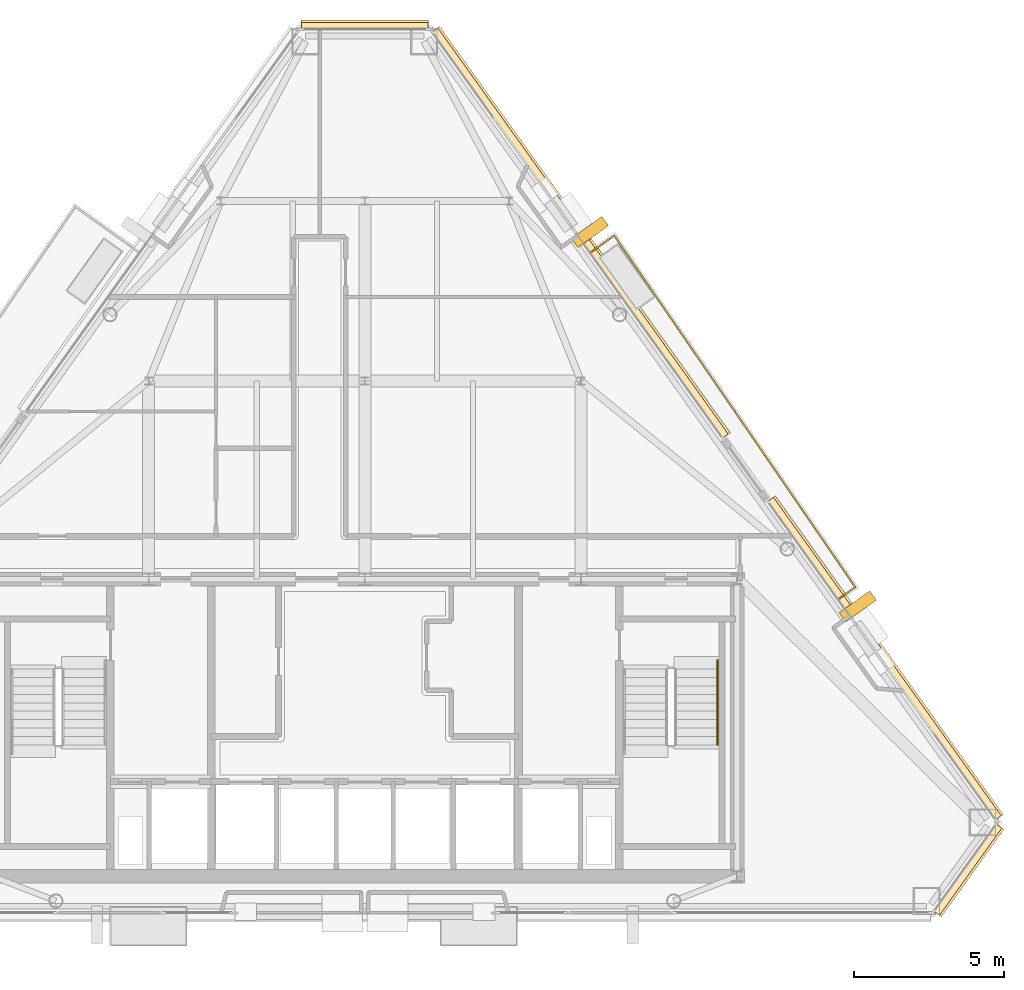
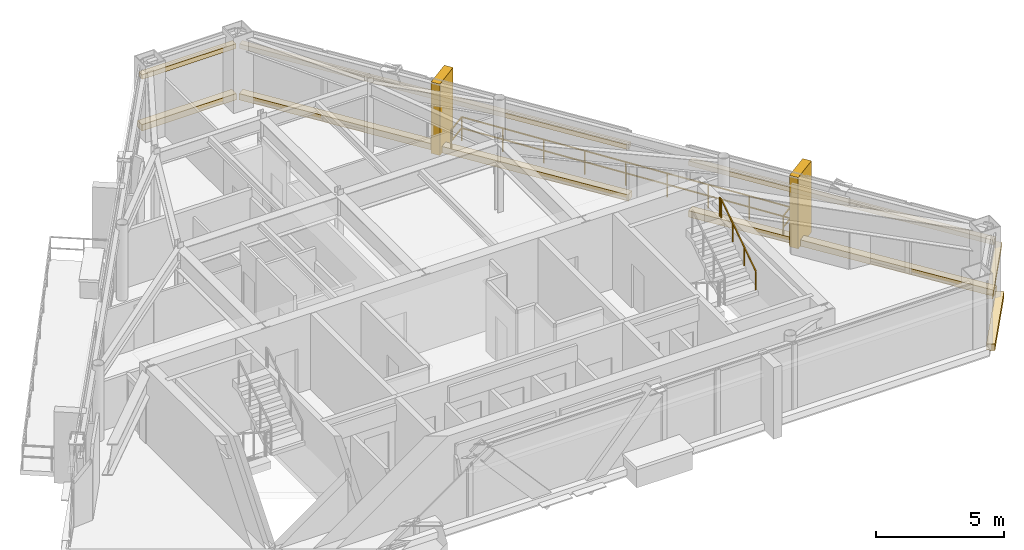
# One storey, part 12 of 12: 10 coverings, 2 railings.
"""IFC4 building model written with IfcOpenShell, lengths in metres."""

from ifc_helpers import new_model, si_unit, direction, frame, origin, origin_2d, place, context, subcontext, project, spatial, rectangle, extrude, material, layer, layer_set, type_object, element, save


model = new_model("IFC4")

# Units and contexts
model_context = context("Model", 3, precision=1e-05, world=origin(), true_north=direction((0.0, 1.0)))
body_context = subcontext(model_context, "Body", "Model", "MODEL_VIEW")
ifc_project = project(units=[si_unit("LENGTHUNIT", "METRE"), si_unit("AREAUNIT", "SQUARE_METRE"), si_unit("VOLUMEUNIT", "CUBIC_METRE"), si_unit("PLANEANGLEUNIT", "RADIAN"), si_unit("MASSUNIT", "GRAM", prefix="KILO")], contexts=[model_context])

# Site, building, storey
site_placement = place(None, origin())
site = spatial("IfcSite", under=ifc_project, at=site_placement, CompositionType="ELEMENT")
building_placement = place(site_placement, origin())
building = spatial("IfcBuilding", under=site, at=building_placement, Name="Talgorran Terracotta Tower", CompositionType="ELEMENT")
storey_placement = place(building_placement, frame((0.0, 0.0, 263.39990234375)))
storey = spatial("IfcBuildingStorey", under=building, at=storey_placement, Name="L69", CompositionType="ELEMENT", Elevation=263.39990234375)

# Coverings
ifc_material_1 = material(Name="Kiln-Fired Terracotta Ochre Ceramic", Category="masonry")
ifc_layer_1 = layer(ifc_material_1, 0.179931640625, Name="COV_BAGUETTE_TERRACOTTA_SCREEN")
ifc_layer_set_1 = layer_set([ifc_layer_1], Name="Kiln-Fired Terracotta Ochre Ceramic")
covering_type_1 = type_object("IfcCoveringType", Name="COV_BAGUETTE_TERRACOTTA_SCREEN", PredefinedType="CLADDING", material=ifc_layer_set_1)
covering_1_placement = place(storey_placement, frame((20.07958984375, -13.869384765625, 2.41015625), z_axis=(0.0, 0.0, 1.0), x_axis=(0.58173974083, 0.813374989743, 0.0)))
element("IfcCovering", 1, at=covering_1_placement, inside=storey, type_object=covering_type_1, Name="L69 Terracotta Baguette Solar Screen Assembly F2", PredefinedType="CLADDING", context=body_context, shape_type="SweptSolid", body=[
    extrude(rectangle(XDim=3.5673828125, YDim=0.260009765625, at=origin_2d()), origin(), (0.0, 0.0, 1.0), 0.219970703125),
])
covering_2_placement = place(storey_placement, frame((17.302490234375, -6.854736328125, 2.41015625), z_axis=(0.0, 0.0, 1.0), x_axis=(-0.58172554467, 0.813385142893, 0.0)))
element("IfcCovering", 2, at=covering_2_placement, inside=storey, type_object=covering_type_1, Name="L69 Terracotta Baguette Solar Screen Assembly F40", PredefinedType="CLADDING", context=body_context, shape_type="SweptSolid", body=[
    extrude(rectangle(XDim=13.034912109375, YDim=0.260009765625, at=origin_2d()), origin(), (0.0, 0.0, 1.0), 0.219970703125),
])
covering_3_placement = place(storey_placement, frame((7.16259765625, 7.323486328125, 2.41015625), z_axis=(0.0, 0.0, 1.0), x_axis=(-0.58173974083, 0.813374989743, 0.0)))
element("IfcCovering", 3, at=covering_3_placement, inside=storey, type_object=covering_type_1, Name="L69 Terracotta Baguette Solar Screen Assembly F41", PredefinedType="CLADDING", context=body_context, shape_type="SweptSolid", body=[
    extrude(rectangle(XDim=16.627197265625, YDim=0.260009765625, at=origin_2d()), origin(), (0.0, 0.0, 1.0), 0.219970703125),
])
covering_4_placement = place(storey_placement, frame((0.0, 14.216796875, 2.41015625), z_axis=(0.0, 0.0, 1.0), x_axis=(-1.0, 0.0, 0.0)))
element("IfcCovering", 4, at=covering_4_placement, inside=storey, type_object=covering_type_1, Name="L69 Terracotta Baguette Solar Screen Assembly F4", PredefinedType="CLADDING", context=body_context, shape_type="SweptSolid", body=[
    extrude(rectangle(XDim=4.2216796875, YDim=0.260009765625, at=origin_2d()), origin(), (0.0, 0.0, 1.0), 0.219970703125),
])
ifc_material_2 = material(Name="Honed Limestone Cladding", Category="masonry")
ifc_layer_2 = layer(ifc_material_2, 0.094970703125, Name="COV_PORTAL_LIME")
ifc_layer_set_2 = layer_set([ifc_layer_2], Name="Honed Limestone Cladding")
covering_type_2 = type_object("IfcCoveringType", Name="COV_PORTAL_LIME", PredefinedType="CLADDING", material=ifc_layer_set_2)
covering_5_placement = place(storey_placement, frame((16.421875, -5.107421875, -0.0498046875), z_axis=(0.0, 0.0, 1.0), x_axis=(-0.58172554467, 0.813385142893, 0.0)))
element("IfcCovering", 5, at=covering_5_placement, inside=storey, type_object=covering_type_2, Name="L69 White Striped Portal Fin F3-1", PredefinedType="CLADDING", context=body_context, shape_type="SweptSolid", body=[
    extrude(rectangle(XDim=0.3798828125, YDim=1.25, at=origin_2d()), origin(), (0.0, 0.0, 1.0), 3.39501953125),
])
ifc_material_3 = material(Name="Kiln-Fired Terracotta Cladding", Category="masonry")
ifc_layer_3 = layer(ifc_material_3, 0.090087890625, Name="COV_PORTAL_TERRA")
ifc_layer_set_3 = layer_set([ifc_layer_3], Name="Kiln-Fired Terracotta Cladding")
covering_type_3 = type_object("IfcCoveringType", Name="COV_PORTAL_TERRA", PredefinedType="CLADDING", material=ifc_layer_set_3)
covering_6_placement = place(storey_placement, frame((20.1123046875, -13.892578125, -0.0400390625), z_axis=(0.0, 0.0, 1.0), x_axis=(0.58173974083, 0.813374989743, 0.0)))
element("IfcCovering", 6, at=covering_6_placement, inside=storey, type_object=covering_type_3, Name="L69 Striped Postmodern Portal Cladding Band F2", PredefinedType="CLADDING", context=body_context, shape_type="SweptSolid", body=[
    extrude(rectangle(XDim=3.58740234375, YDim=0.340087890625, at=origin_2d()), origin(), (0.0, 0.0, 1.0), 0.300048828125),
])
covering_7_placement = place(storey_placement, frame((17.335205078125, -6.83154296875, -0.0400390625), z_axis=(0.0, 0.0, 1.0), x_axis=(-0.58172554467, 0.813385142893, 0.0)))
element("IfcCovering", 7, at=covering_7_placement, inside=storey, type_object=covering_type_3, Name="L69 Striped Postmodern Portal Cladding Band F40", PredefinedType="CLADDING", context=body_context, shape_type="SweptSolid", body=[
    extrude(rectangle(XDim=13.054931640625, YDim=0.340087890625, at=origin_2d()), origin(), (0.0, 0.0, 1.0), 0.300048828125),
])
covering_8_placement = place(storey_placement, frame((7.195068359375, 7.3466796875, -0.0400390625), z_axis=(0.0, 0.0, 1.0), x_axis=(-0.58173974083, 0.813374989743, 0.0)))
element("IfcCovering", 8, at=covering_8_placement, inside=storey, type_object=covering_type_3, Name="L69 Striped Postmodern Portal Cladding Band F41", PredefinedType="CLADDING", context=body_context, shape_type="SweptSolid", body=[
    extrude(rectangle(XDim=16.647216796875, YDim=0.340087890625, at=origin_2d()), origin(), (0.0, 0.0, 1.0), 0.300048828125),
])
covering_9_placement = place(storey_placement, frame((0.0, 14.2568359375, -0.0400390625), z_axis=(0.0, 0.0, 1.0), x_axis=(-1.0, 0.0, 0.0)))
element("IfcCovering", 9, at=covering_9_placement, inside=storey, type_object=covering_type_3, Name="L69 Striped Postmodern Portal Cladding Band F4", PredefinedType="CLADDING", context=body_context, shape_type="SweptSolid", body=[
    extrude(rectangle(XDim=4.24169921875, YDim=0.340087890625, at=origin_2d()), origin(), (0.0, 0.0, 1.0), 0.300048828125),
])
covering_10_placement = place(storey_placement, frame((7.50048828125, 7.366455078125, -0.0498046875), z_axis=(0.0, 0.0, 1.0), x_axis=(-0.58172554467, 0.813385142893, 0.0)))
element("IfcCovering", 10, at=covering_10_placement, inside=storey, type_object=covering_type_3, Name="L69 Terracotta Striped Portal Fin F3-2", PredefinedType="CLADDING", context=body_context, shape_type="SweptSolid", body=[
    extrude(rectangle(XDim=0.3798828125, YDim=1.25, at=origin_2d()), origin(), (0.0, 0.0, 1.0), 3.39501953125),
])

# Railings
ifc_material_4 = material(Name="Laminated Glass and Stainless Steel 316", Category="steel")
railing_type_1 = type_object("IfcRailingType", Name="RL_BALCONY_1150", PredefinedType="BALUSTRADE", material=ifc_material_4)
railing_1_placement = place(storey_placement, frame((15.781494140625, -4.865234375, 0.0)))
element("IfcRailing", 11, at=railing_1_placement, inside=storey, type_object=railing_type_1, Name="RL-L69-BAL-BAL-NE", PredefinedType="BALUSTRADE", context=body_context, shape_type="SweptSolid", body=[
    extrude(rectangle(XDim=0.048095703125, YDim=0.048095703125, at=origin_2d()), frame((0.0, 0.0, 1.1259765625), z_axis=(0.813275494252, 0.581878827978, 0.0), x_axis=(-0.581878827978, 0.813275494252, 0.0)), (0.0, 0.0, 1.0), 0.684814453125),
    extrude(rectangle(XDim=0.048095703125, YDim=0.048095703125, at=origin_2d()), frame((0.0, 0.0, 0.597900390625), z_axis=(0.813275494252, 0.581878827978, 0.0), x_axis=(-0.581878827978, 0.813275494252, 0.0)), (0.0, 0.0, 1.0), 0.684814453125),
    extrude(rectangle(XDim=0.048095703125, YDim=0.048095703125, at=origin_2d()), frame((0.556884765625, 0.3984375, 1.1259765625), z_axis=(-0.565410400572, 0.82480972286, 0.0), x_axis=(-0.82480972286, -0.565410400572, 0.0)), (0.0, 0.0, 1.0), 14.199462890625),
    extrude(rectangle(XDim=0.048095703125, YDim=0.048095703125, at=origin_2d()), frame((0.556884765625, 0.3984375, 0.597900390625), z_axis=(-0.565410400572, 0.82480972286, 0.0), x_axis=(-0.82480972286, -0.565410400572, 0.0)), (0.0, 0.0, 1.0), 14.199462890625),
    extrude(rectangle(XDim=0.048095703125, YDim=0.048095703125, at=origin_2d()), frame((-7.4716796875, 12.1103515625, 1.1259765625), z_axis=(-0.813477663351, -0.581596158196, 0.0), x_axis=(0.581596158196, -0.813477663351, 0.0)), (0.0, 0.0, 1.0), 0.967529296875),
    extrude(rectangle(XDim=0.048095703125, YDim=0.048095703125, at=origin_2d()), frame((-7.4716796875, 12.1103515625, 0.597900390625), z_axis=(-0.813477663351, -0.581596158196, 0.0), x_axis=(0.581596158196, -0.813477663351, 0.0)), (0.0, 0.0, 1.0), 0.967529296875),
    extrude(rectangle(XDim=0.0419921875, YDim=0.0419921875, at=origin_2d()), origin(), (0.0, 0.0, 1.0), 1.101806640625),
    extrude(rectangle(XDim=0.0419921875, YDim=0.0419921875, at=origin_2d()), frame((0.556884765625, 0.3984375, 0.0)), (0.0, 0.0, 1.0), 1.101806640625),
    extrude(rectangle(XDim=0.0419921875, YDim=0.0419921875, at=origin_2d()), frame((-0.44677734375, 1.8623046875, 0.0)), (0.0, 0.0, 1.0), 1.101806640625),
    extrude(rectangle(XDim=0.0419921875, YDim=0.0419921875, at=origin_2d()), frame((-1.4501953125, 3.326416015625, 0.0)), (0.0, 0.0, 1.0), 1.101806640625),
    extrude(rectangle(XDim=0.0419921875, YDim=0.0419921875, at=origin_2d()), frame((-2.453857421875, 4.79052734375, 0.0)), (0.0, 0.0, 1.0), 1.101806640625),
    extrude(rectangle(XDim=0.0419921875, YDim=0.0419921875, at=origin_2d()), frame((-3.45751953125, 6.25439453125, 0.0)), (0.0, 0.0, 1.0), 1.101806640625),
    extrude(rectangle(XDim=0.0419921875, YDim=0.0419921875, at=origin_2d()), frame((-4.4609375, 7.71826171875, 0.0)), (0.0, 0.0, 1.0), 1.101806640625),
    extrude(rectangle(XDim=0.0419921875, YDim=0.0419921875, at=origin_2d()), frame((-5.464599609375, 9.182373046875, 0.0)), (0.0, 0.0, 1.0), 1.101806640625),
    extrude(rectangle(XDim=0.0419921875, YDim=0.0419921875, at=origin_2d()), frame((-6.468017578125, 10.646484375, 0.0)), (0.0, 0.0, 1.0), 1.101806640625),
    extrude(rectangle(XDim=0.0419921875, YDim=0.0419921875, at=origin_2d()), frame((-7.4716796875, 12.1103515625, 0.0)), (0.0, 0.0, 1.0), 1.101806640625),
    extrude(rectangle(XDim=0.0419921875, YDim=0.0419921875, at=origin_2d()), frame((-8.2587890625, 11.547607421875, 0.0)), (0.0, 0.0, 1.0), 1.101806640625),
])
ifc_material_5 = material(Name="Steel S355 (300PLUS)", Category="steel")
railing_type_2 = type_object("IfcRailingType", Name="RL_HANDRAIL_920", PredefinedType="HANDRAIL", material=ifc_material_5)
railing_2_placement = place(storey_placement, frame((11.75, -9.719970703125, 1.97998046875)))
element("IfcRailing", 12, at=railing_2_placement, inside=storey, type_object=railing_type_2, Name="L69 ST-02 stair handrail 2", PredefinedType="HANDRAIL", context=body_context, shape_type="SweptSolid", body=[
    extrude(rectangle(XDim=0.048095703125, YDim=0.048095703125, at=origin_2d()), frame((0.0, 0.0, 0.89599609375), z_axis=(0.0, 0.832038719335, 0.554717558338), x_axis=(-1.0, 0.0, 0.0)), (0.0, 0.0, 1.0), 3.244873046875),
    extrude(rectangle(XDim=0.048095703125, YDim=0.048095703125, at=origin_2d()), frame((0.0, 2.699951171875, 2.69580078125), z_axis=(0.0, 1.0, 0.0), x_axis=(-1.0, 0.0, 0.0)), (0.0, 0.0, 1.0), 0.1201171875),
    extrude(rectangle(XDim=0.0419921875, YDim=0.0419921875, at=origin_2d()), origin(), (0.0, 0.0, 1.0), 0.871826171875),
    extrude(rectangle(XDim=0.0419921875, YDim=0.0419921875, at=origin_2d()), frame((0.0, 0.89990234375, 0.60009765625)), (0.0, 0.0, 1.0), 0.871826171875),
    extrude(rectangle(XDim=0.0419921875, YDim=0.0419921875, at=origin_2d()), frame((0.0, 1.800048828125, 1.199951171875)), (0.0, 0.0, 1.0), 0.871826171875),
    extrude(rectangle(XDim=0.0419921875, YDim=0.0419921875, at=origin_2d()), frame((0.0, 2.699951171875, 1.800048828125)), (0.0, 0.0, 1.0), 0.871826171875),
    extrude(rectangle(XDim=0.0419921875, YDim=0.0419921875, at=origin_2d()), frame((0.0, 2.820068359375, 1.800048828125)), (0.0, 0.0, 1.0), 0.871826171875),
])

save(model, "model.ifc")
